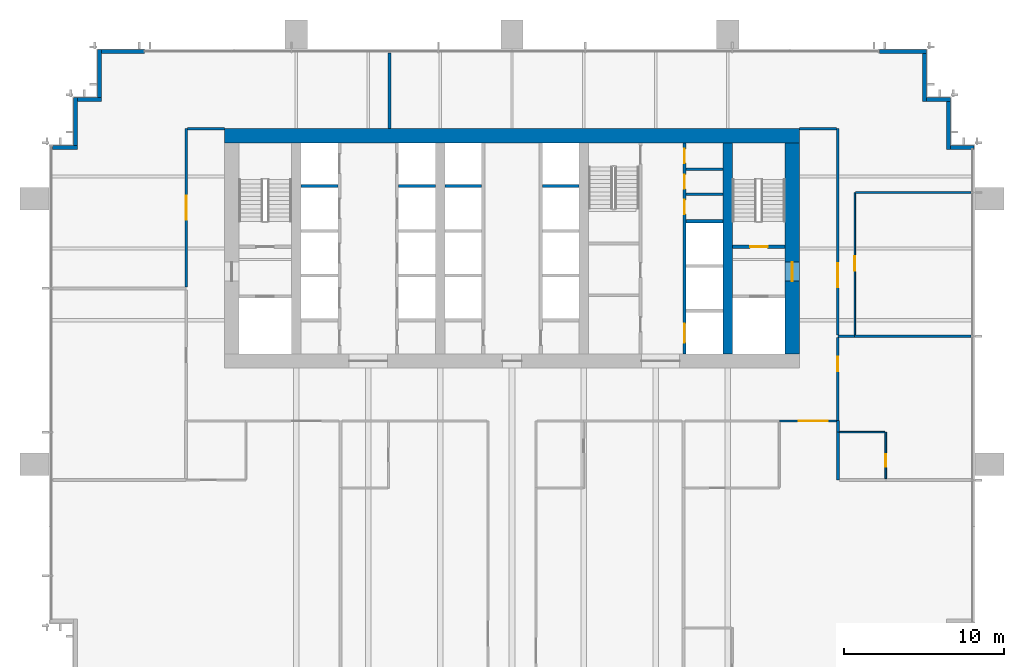
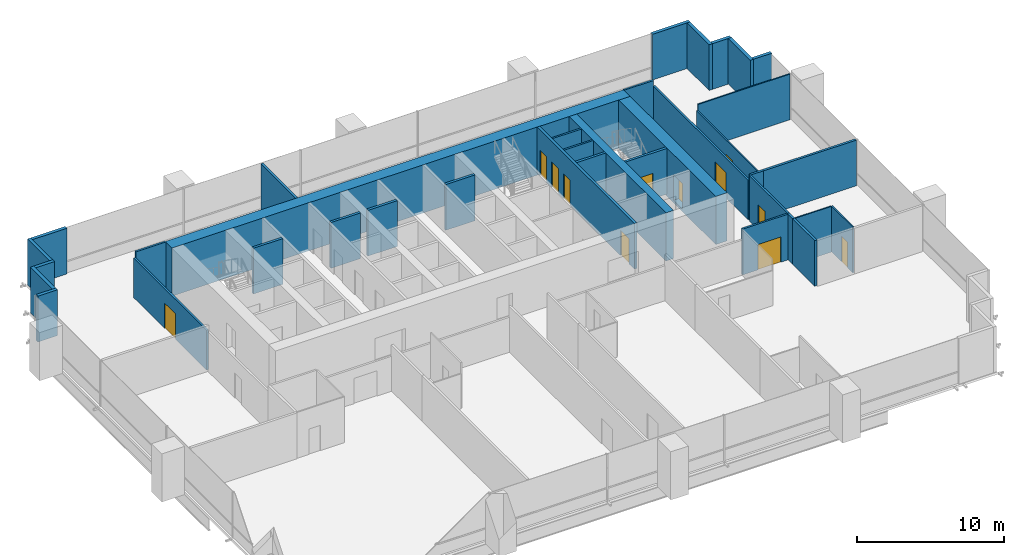
# One storey, part 12 of 14: 37 walls, 12 doors, 12 openings.
"""IFC4 building model written with IfcOpenShell, lengths in metres."""

from ifc_helpers import new_model, si_unit, direction, frame, frame_2d, origin, place, context, subcontext, project, spatial, rectangle, extrude, material, layer, layer_set, type_object, element, fill, save


model = new_model("IFC4")

# Units and contexts
model_context = context("Model", 3, precision=1e-05, world=origin(), true_north=direction((0.0, 1.0)))
body_context = subcontext(model_context, "Body", "Model", "MODEL_VIEW")
ifc_project = project(units=[si_unit("LENGTHUNIT", "METRE"), si_unit("AREAUNIT", "SQUARE_METRE"), si_unit("VOLUMEUNIT", "CUBIC_METRE"), si_unit("PLANEANGLEUNIT", "RADIAN"), si_unit("MASSUNIT", "GRAM", prefix="KILO")], contexts=[model_context])

# Site, building, storey
site_placement = place(None, origin())
site = spatial("IfcSite", under=ifc_project, at=site_placement, CompositionType="ELEMENT")
building_placement = place(site_placement, origin())
building = spatial("IfcBuilding", under=site, at=building_placement, Name="Rattan Terrace Tower", CompositionType="ELEMENT")
storey_placement = place(building_placement, frame((0.0, 0.0, 154.10009765625)))
storey = spatial("IfcBuildingStorey", under=building, at=storey_placement, Name="L35", CompositionType="ELEMENT", Elevation=154.10009765625)

# Walls
ifc_material_1 = material(Name="Gypsum board partition")
ifc_layer_1 = layer(ifc_material_1, 0.14990234375)
ifc_layer_set_1 = layer_set([ifc_layer_1], Name="Core partition 150")
wall_type_1 = type_object("IfcWallType", Name="Core partition 150", PredefinedType="PARTITIONING", material=ifc_layer_set_1)
for number, where, z_axis, x_axis, name in (
    (1, (10.89990234375, 3.384033203125, 0.0), (0.0, 0.0, 1.0), (1.0, 0.0, 0.0), "Riser room wall"),
    (2, (10.89990234375, 4.968017578125, 0.0), (0.0, 0.0, 1.0), (1.0, 0.0, 0.0), "Riser room wall"),
):
    element("IfcWall", number, at=place(storey_placement, frame(where, z_axis=z_axis, x_axis=x_axis)), inside=storey, type_object=wall_type_1, Name=name, PredefinedType="PARTITIONING", context=body_context, shape_type="SweptSolid", body=[
        extrude(rectangle(XDim=2.300048828125, YDim=0.14990234375, at=frame_2d((1.14990234375, 0.0))), origin(), (0.0, 0.0, 1.0), 3.7998046875),
    ])

# Wall, opening, door
ifc_material_2 = material(Name="Gypsum board partition")
ifc_layer_2 = layer(ifc_material_2, 0.199951171875)
ifc_layer_set_2 = layer_set([ifc_layer_2], Name="Core partition 200")
wall_type_2 = type_object("IfcWallType", Name="Core partition 200", PredefinedType="PARTITIONING", material=ifc_layer_set_2)
wall_1_placement = place(storey_placement, frame((13.800048828125, 0.10009765625, 0.0), z_axis=(0.0, 0.0, 1.0), x_axis=(1.0, 0.0, 0.0)))
wall_1 = element("IfcWall", 3, at=wall_1_placement, inside=storey, type_object=wall_type_2, Name="Stair enclosure wall", PredefinedType="PARTITIONING", context=body_context, shape_type="SweptSolid", body=[
    extrude(rectangle(XDim=3.300048828125, YDim=0.199951171875, at=frame_2d((1.64990234375, 0.0))), origin(), (0.0, 0.0, 1.0), 3.7998046875),
])
opening_1_placement = place(wall_1_placement, frame((1.10009765625, 0.0, 0.0)))
opening_1 = element("IfcOpeningElement", 4, at=opening_1_placement, cuts=wall_1, Name="Opening L35-D004", PredefinedType="OPENING", context=body_context, shape_type="SweptSolid", body=[
    extrude(rectangle(XDim=1.10009765625, YDim=2.10009765625, at=frame_2d((0.550048828125, 1.050048828125))), frame((0.0, 0.110595703125, 0.0), z_axis=(0.0, -1.0, 0.0), x_axis=(1.0, 0.0, 0.0)), (0.0, 0.0, 1.0), 0.220947265625),
])
ifc_material_3 = material(Name="Hollow-metal fire door leaf")
door_type_1 = type_object("IfcDoorType", Name="Core stair door 1100", OperationType="NOTDEFINED", PredefinedType="DOOR", material=ifc_material_3)
door_1_placement = place(opening_1_placement, origin())
door_1 = element("IfcDoor", 5, at=door_1_placement, inside=storey, type_object=door_type_1, Name="Door L35-D004", OperationType="SINGLE_SWING_LEFT", OverallHeight=2.10009765625, OverallWidth=1.10009765625, PredefinedType="DOOR", context=body_context, shape_type="SweptSolid", body=[
    extrude(rectangle(XDim=1.10009765625, YDim=2.10009765625, at=frame_2d((0.550048828125, 1.050048828125))), frame((0.0, 0.02490234375, 0.0), z_axis=(0.0, -1.0, 0.0), x_axis=(1.0, 0.0, 0.0)), (0.0, 0.0, 1.0), 0.050048828125),
])
fill(opening_1, door_1)

# Wall
ifc_material_4 = material(Name="Concrete C60/75", Category="concrete")
ifc_layer_3 = layer(ifc_material_4, 0.89990234375)
ifc_layer_set_3 = layer_set([ifc_layer_3], Name="Core ring wall 900 C60/75")
wall_type_3 = type_object("IfcWallType", Name="Core ring wall 900 C60/75", PredefinedType="SHEAR", material=ifc_layer_set_3)
wall_2_placement = place(storey_placement, frame((-18.0, 7.050048828125, -0.2001953125), z_axis=(0.0, 0.0, 1.0), x_axis=(1.0, 0.0, 0.0)))
element("IfcWall", 6, at=wall_2_placement, inside=storey, type_object=wall_type_3, Name="Rear core wall north", PredefinedType="SHEAR", context=body_context, shape_type="SweptSolid", body=[
    extrude(rectangle(XDim=36.0, YDim=0.89990234375, at=frame_2d((18.0, 0.0))), origin(), (0.0, 0.0, 1.0), 4.0),
])

# Wall, opening, door
wall_3_placement = place(storey_placement, frame((17.550048828125, -6.60009765625, -0.2001953125), z_axis=(0.0, 0.0, 1.0), x_axis=(0.0, 1.0, 0.0)))
wall_3 = element("IfcWall", 7, at=wall_3_placement, inside=storey, type_object=wall_type_3, Name="Rear core wall east", PredefinedType="SHEAR", context=body_context, shape_type="SweptSolid", body=[
    extrude(rectangle(XDim=13.2001953125, YDim=0.89990234375, at=frame_2d((6.60009765625, 0.0))), origin(), (0.0, 0.0, 1.0), 4.0),
])
opening_2_placement = place(wall_3_placement, frame((4.550048828125, 0.0, 0.199951171875)))
opening_2 = element("IfcOpeningElement", 8, at=opening_2_placement, cuts=wall_3, Name="Opening L35-D003", PredefinedType="OPENING", context=body_context, shape_type="SweptSolid", body=[
    extrude(rectangle(XDim=1.199951171875, YDim=2.10009765625, at=frame_2d((0.60009765625, 1.050048828125))), frame((0.0, 0.46044921875, 0.0), z_axis=(0.0, -1.0, 0.0), x_axis=(1.0, 0.0, 0.0)), (0.0, 0.0, 1.0), 0.9208984375),
])
ifc_material_5 = material(Name="Hollow-metal fire door leaf")
door_type_2 = type_object("IfcDoorType", Name="Core fire-fighting lobby door 1200", OperationType="NOTDEFINED", PredefinedType="DOOR", material=ifc_material_5)
door_2_placement = place(opening_2_placement, origin())
door_2 = element("IfcDoor", 9, at=door_2_placement, inside=storey, type_object=door_type_2, Name="Door L35-D003", OperationType="SINGLE_SWING_RIGHT", OverallHeight=2.10009765625, OverallWidth=1.199951171875, PredefinedType="DOOR", context=body_context, shape_type="SweptSolid", body=[
    extrude(rectangle(XDim=1.199951171875, YDim=2.10009765625, at=frame_2d((0.60009765625, 1.050048828125))), frame((0.0, 0.02490234375, 0.0), z_axis=(0.0, -1.0, 0.0), x_axis=(1.0, 0.0, 0.0)), (0.0, 0.0, 1.0), 0.050048828125),
])
fill(opening_2, door_2)

# Walls
ifc_material_6 = material(Name="Concrete C60/75", Category="concrete")
ifc_layer_4 = layer(ifc_material_6, 0.60009765625)
ifc_layer_set_4 = layer_set([ifc_layer_4], Name="Core spine wall 600 C60/75")
wall_type_4 = type_object("IfcWallType", Name="Core spine wall 600 C60/75", PredefinedType="SHEAR", material=ifc_layer_set_4)
wall_4_placement = place(storey_placement, frame((13.5, -6.60009765625, -0.2001953125), z_axis=(0.0, 0.0, 1.0), x_axis=(0.0, 1.0, 0.0)))
element("IfcWall", 10, at=wall_4_placement, inside=storey, type_object=wall_type_4, Name="Core spine wall 4", PredefinedType="SHEAR", context=body_context, shape_type="SweptSolid", body=[
    extrude(rectangle(XDim=13.2001953125, YDim=0.60009765625, at=frame_2d((6.60009765625, 0.0))), origin(), (0.0, 0.0, 1.0), 4.0),
])
ifc_material_7 = material(Name="Insulated aluminium-clad stud wall", Category="aluminium")
ifc_layer_5 = layer(ifc_material_7, 0.25)
ifc_layer_set_5 = layer_set([ifc_layer_5], Name="Facade Riser Wall 250")
wall_type_5 = type_object("IfcWallType", Name="Facade Riser Wall 250", PredefinedType="SOLIDWALL", material=ifc_layer_set_5)
wall_5_placement = place(storey_placement, frame((28.909912109375, 6.330078125, 0.0), z_axis=(0.0, 0.0, 1.0), x_axis=(-1.0, 0.0, 0.0)))
element("IfcWall", 11, at=wall_5_placement, inside=storey, type_object=wall_type_5, Name="Riser wall L35-6", PredefinedType="SOLIDWALL", context=body_context, shape_type="SweptSolid", body=[
    extrude(rectangle(XDim=1.454833984375, YDim=0.25, at=frame_2d((0.7275390625, 0.0))), origin(), (0.0, 0.0, 1.0), 3.7998046875),
])
wall_6_placement = place(storey_placement, frame((27.330078125, 6.205078125, 0.0), z_axis=(0.0, 0.0, 1.0), x_axis=(0.0, 1.0, 0.0)))
element("IfcWall", 12, at=wall_6_placement, inside=storey, type_object=wall_type_5, Name="Riser wall L35-7", PredefinedType="SOLIDWALL", context=body_context, shape_type="SweptSolid", body=[
    extrude(rectangle(XDim=3.0, YDim=0.25, at=frame_2d((1.5, 0.0))), origin(), (0.0, 0.0, 1.0), 3.7998046875),
])
wall_7_placement = place(storey_placement, frame((27.455078125, 9.330078125, 0.0), z_axis=(0.0, 0.0, 1.0), x_axis=(-1.0, 0.0, 0.0)))
element("IfcWall", 13, at=wall_7_placement, inside=storey, type_object=wall_type_5, Name="Riser wall L35-8", PredefinedType="SOLIDWALL", context=body_context, shape_type="SweptSolid", body=[
    extrude(rectangle(XDim=1.5, YDim=0.25, at=frame_2d((0.75, 0.0))), origin(), (0.0, 0.0, 1.0), 3.7998046875),
])
wall_8_placement = place(storey_placement, frame((25.830078125, 9.205078125, 0.0), z_axis=(0.0, 0.0, 1.0), x_axis=(0.0, 1.0, 0.0)))
element("IfcWall", 14, at=wall_8_placement, inside=storey, type_object=wall_type_5, Name="Riser wall L35-9", PredefinedType="SOLIDWALL", context=body_context, shape_type="SweptSolid", body=[
    extrude(rectangle(XDim=3.0, YDim=0.25, at=frame_2d((1.5, 0.0))), origin(), (0.0, 0.0, 1.0), 3.7998046875),
])
wall_9_placement = place(storey_placement, frame((25.955078125, 12.330078125, 0.0), z_axis=(0.0, 0.0, 1.0), x_axis=(-1.0, 0.0, 0.0)))
element("IfcWall", 15, at=wall_9_placement, inside=storey, type_object=wall_type_5, Name="Riser wall L35-10", PredefinedType="SOLIDWALL", context=body_context, shape_type="SweptSolid", body=[
    extrude(rectangle(XDim=2.955078125, YDim=0.25, at=frame_2d((1.4775390625, 0.0))), origin(), (0.0, 0.0, 1.0), 3.7998046875),
])
wall_10_placement = place(storey_placement, frame((-23.0, 12.330078125, 0.0), z_axis=(0.0, 0.0, 1.0), x_axis=(-1.0, 0.0, 0.0)))
element("IfcWall", 16, at=wall_10_placement, inside=storey, type_object=wall_type_5, Name="Riser wall L35-11", PredefinedType="SOLIDWALL", context=body_context, shape_type="SweptSolid", body=[
    extrude(rectangle(XDim=2.705078125, YDim=0.25, at=frame_2d((1.3525390625, 0.0))), origin(), (0.0, 0.0, 1.0), 3.7998046875),
])
wall_11_placement = place(storey_placement, frame((-25.830078125, 12.455078125, 0.0), z_axis=(0.0, 0.0, 1.0), x_axis=(0.0, -1.0, 0.0)))
element("IfcWall", 17, at=wall_11_placement, inside=storey, type_object=wall_type_5, Name="Riser wall L35-12", PredefinedType="SOLIDWALL", context=body_context, shape_type="SweptSolid", body=[
    extrude(rectangle(XDim=3.0, YDim=0.25, at=frame_2d((1.5, 0.0))), origin(), (0.0, 0.0, 1.0), 3.7998046875),
])
wall_12_placement = place(storey_placement, frame((-25.705078125, 9.330078125, 0.0), z_axis=(0.0, 0.0, 1.0), x_axis=(-1.0, 0.0, 0.0)))
element("IfcWall", 18, at=wall_12_placement, inside=storey, type_object=wall_type_5, Name="Riser wall L35-13", PredefinedType="SOLIDWALL", context=body_context, shape_type="SweptSolid", body=[
    extrude(rectangle(XDim=1.5, YDim=0.25, at=frame_2d((0.75, 0.0))), origin(), (0.0, 0.0, 1.0), 3.7998046875),
])
wall_13_placement = place(storey_placement, frame((-27.330078125, 9.455078125, 0.0), z_axis=(0.0, 0.0, 1.0), x_axis=(0.0, -1.0, 0.0)))
element("IfcWall", 19, at=wall_13_placement, inside=storey, type_object=wall_type_5, Name="Riser wall L35-14", PredefinedType="SOLIDWALL", context=body_context, shape_type="SweptSolid", body=[
    extrude(rectangle(XDim=3.0, YDim=0.25, at=frame_2d((1.5, 0.0))), origin(), (0.0, 0.0, 1.0), 3.7998046875),
])
wall_14_placement = place(storey_placement, frame((-27.205078125, 6.330078125, 0.0), z_axis=(0.0, 0.0, 1.0), x_axis=(-1.0, 0.0, 0.0)))
element("IfcWall", 20, at=wall_14_placement, inside=storey, type_object=wall_type_5, Name="Riser wall L35-15", PredefinedType="SOLIDWALL", context=body_context, shape_type="SweptSolid", body=[
    extrude(rectangle(XDim=1.544921875, YDim=0.25, at=frame_2d((0.7724609375, 0.0))), origin(), (0.0, 0.0, 1.0), 3.7998046875),
])
ifc_material_8 = material(Name="Double steel stud acoustic partition, gypsum board, mineral wool, fire rated", Category="steel")
ifc_layer_6 = layer(ifc_material_8, 0.179931640625)
ifc_layer_set_6 = layer_set([ifc_layer_6], Name="Floors Acoustic Party Wall 180")
wall_type_6 = type_object("IfcWallType", Name="Floors Acoustic Party Wall 180", PredefinedType="PARTITIONING", material=ifc_layer_set_6)
wall_15_placement = place(storey_placement, frame((-7.6669921875, 12.239990234375, 0.0), z_axis=(0.0, 0.0, 1.0), x_axis=(0.0, -1.0, 0.0)))
element("IfcWall", 21, at=wall_15_placement, inside=storey, type_object=wall_type_6, Name="pt-L35-021", PredefinedType="PARTITIONING", context=body_context, shape_type="SweptSolid", body=[
    extrude(rectangle(XDim=4.739990234375, YDim=0.179931640625, at=frame_2d((2.3701171875, 0.0))), origin(), (0.0, 0.0, 1.0), 3.7998046875),
])
wall_16_placement = place(storey_placement, frame((20.39990234375, -5.5, 0.0), z_axis=(0.0, 0.0, 1.0), x_axis=(1.0, 0.0, 0.0)))
element("IfcWall", 22, at=wall_16_placement, inside=storey, type_object=wall_type_6, Name="pt-L35-024", PredefinedType="PARTITIONING", context=body_context, shape_type="SweptSolid", body=[
    extrude(rectangle(XDim=1.0400390625, YDim=0.179931640625, at=frame_2d((0.52001953125, 0.0))), origin(), (0.0, 0.0, 1.0), 3.7998046875),
])
wall_17_placement = place(storey_placement, frame((21.43994140625, -5.5, 0.0), z_axis=(0.0, 0.0, 1.0), x_axis=(1.0, 0.0, 0.0)))
element("IfcWall", 23, at=wall_17_placement, inside=storey, type_object=wall_type_6, Name="pt-L35-025", PredefinedType="PARTITIONING", context=body_context, shape_type="SweptSolid", body=[
    extrude(rectangle(XDim=7.300048828125, YDim=0.179931640625, at=frame_2d((3.64990234375, 0.0))), origin(), (0.0, 0.0, 1.0), 3.7998046875),
])
wall_18_placement = place(storey_placement, frame((20.39990234375, -11.5, 0.0), z_axis=(0.0, 0.0, 1.0), x_axis=(0.0, 1.0, 0.0)))
element("IfcWall", 24, at=wall_18_placement, inside=storey, type_object=wall_type_6, Name="pt-L35-026", PredefinedType="PARTITIONING", context=body_context, shape_type="SweptSolid", body=[
    extrude(rectangle(XDim=0.719970703125, YDim=0.179931640625, at=frame_2d((0.35986328125, 0.0))), origin(), (0.0, 0.0, 1.0), 3.7998046875),
])
wall_19_placement = place(storey_placement, frame((20.39990234375, -14.5, 0.0), z_axis=(0.0, 0.0, 1.0), x_axis=(0.0, 1.0, 0.0)))
element("IfcWall", 25, at=wall_19_placement, inside=storey, type_object=wall_type_6, Name="pt-L35-028", PredefinedType="PARTITIONING", context=body_context, shape_type="SweptSolid", body=[
    extrude(rectangle(XDim=3.0, YDim=0.179931640625, at=frame_2d((1.5, 0.0))), origin(), (0.0, 0.0, 1.0), 3.7998046875),
])
ifc_material_9 = material(Name="Gypsum board partition on steel studs", Category="steel")
ifc_layer_7 = layer(ifc_material_9, 0.10009765625)
ifc_layer_set_7 = layer_set([ifc_layer_7], Name="Floors Partition 100")
wall_type_7 = type_object("IfcWallType", Name="Floors Partition 100", PredefinedType="PARTITIONING", material=ifc_layer_set_7)
wall_20_placement = place(storey_placement, frame((23.35009765625, -11.5, 0.0), z_axis=(0.0, 0.0, 1.0), x_axis=(-1.0, 0.0, 0.0)))
element("IfcWall", 26, at=wall_20_placement, inside=storey, type_object=wall_type_7, Name="pt-L35-022", PredefinedType="PARTITIONING", context=body_context, shape_type="SweptSolid", body=[
    extrude(rectangle(XDim=2.860107421875, YDim=0.10009765625, at=frame_2d((1.43017578125, 0.0))), origin(), (0.0, 0.0, 1.0), 3.7998046875),
])

# Wall, opening, door
wall_21_placement = place(storey_placement, frame((23.39990234375, -14.409912109375, 0.0), z_axis=(0.0, 0.0, 1.0), x_axis=(0.0, 1.0, 0.0)))
wall_21 = element("IfcWall", 27, at=wall_21_placement, inside=storey, type_object=wall_type_7, Name="pt-L35-023", PredefinedType="PARTITIONING", context=body_context, shape_type="SweptSolid", body=[
    extrude(rectangle(XDim=2.909912109375, YDim=0.10009765625, at=frame_2d((1.455078125, 0.0))), origin(), (0.0, 0.0, 1.0), 3.7998046875),
])
opening_3_placement = place(wall_21_placement, frame((0.73291015625, 0.0, 0.0)))
opening_3 = element("IfcOpeningElement", 28, at=opening_3_placement, cuts=wall_21, Name="Opening L35-D103", PredefinedType="OPENING", context=body_context, shape_type="SweptSolid", body=[
    extrude(rectangle(XDim=0.800048828125, YDim=2.10009765625, at=frame_2d((0.39990234375, 1.050048828125))), frame((0.0, 0.060546875, 0.0), z_axis=(0.0, -1.0, 0.0), x_axis=(1.0, 0.0, 0.0)), (0.0, 0.0, 1.0), 0.12109375),
])
ifc_material_10 = material(Name="Solid core timber door, painted", Category="wood")
door_type_3 = type_object("IfcDoorType", Name="Floors Store Door 800x2100", OperationType="NOTDEFINED", PredefinedType="DOOR", material=ifc_material_10)
door_3_placement = place(opening_3_placement, origin())
door_3 = element("IfcDoor", 29, at=door_3_placement, inside=storey, type_object=door_type_3, Name="d-L35-103", OperationType="SINGLE_SWING_LEFT", OverallHeight=2.10009765625, OverallWidth=0.800048828125, PredefinedType="DOOR", context=body_context, shape_type="SweptSolid", body=[
    extrude(rectangle(XDim=0.800048828125, YDim=2.10009765625, at=frame_2d((0.39990234375, 1.050048828125))), frame((0.0, 0.02490234375, 0.0), z_axis=(0.0, -1.0, 0.0), x_axis=(1.0, 0.0, 0.0)), (0.0, 0.0, 1.0), 0.050048828125),
])
fill(opening_3, door_3)

wall_22_placement = place(storey_placement, frame((21.4599609375, 3.5, 0.0), z_axis=(0.0, 0.0, 1.0), x_axis=(0.0, -1.0, 0.0)))
wall_22 = element("IfcWall", 30, at=wall_22_placement, inside=storey, type_object=wall_type_7, Name="pt-L35-030", PredefinedType="PARTITIONING", context=body_context, shape_type="SweptSolid", body=[
    extrude(rectangle(XDim=8.909912109375, YDim=0.10009765625, at=frame_2d((4.455078125, 0.0))), origin(), (0.0, 0.0, 1.0), 3.2998046875),
])
opening_4_placement = place(wall_22_placement, frame((4.0048828125, 0.0, 0.0)))
opening_4 = element("IfcOpeningElement", 31, at=opening_4_placement, cuts=wall_22, Name="Opening L35-D105", PredefinedType="OPENING", context=body_context, shape_type="SweptSolid", body=[
    extrude(rectangle(XDim=0.89990234375, YDim=2.10009765625, at=frame_2d((0.449951171875, 1.050048828125))), frame((0.0, 0.060546875, 0.0), z_axis=(0.0, -1.0, 0.0), x_axis=(1.0, 0.0, 0.0)), (0.0, 0.0, 1.0), 0.12109375),
])
ifc_material_11 = material(Name="Solid core timber door, painted", Category="wood")
door_type_4 = type_object("IfcDoorType", Name="Floors Door 900x2100", OperationType="NOTDEFINED", PredefinedType="DOOR", material=ifc_material_11)
door_4_placement = place(opening_4_placement, origin())
door_4 = element("IfcDoor", 32, at=door_4_placement, inside=storey, type_object=door_type_4, Name="d-L35-105", OperationType="SINGLE_SWING_RIGHT", OverallHeight=2.10009765625, OverallWidth=0.89990234375, PredefinedType="DOOR", context=body_context, shape_type="SweptSolid", body=[
    extrude(rectangle(XDim=0.89990234375, YDim=2.10009765625, at=frame_2d((0.449951171875, 1.050048828125))), frame((0.0, 0.02490234375, 0.0), z_axis=(0.0, -1.0, 0.0), x_axis=(1.0, 0.0, 0.0)), (0.0, 0.0, 1.0), 0.050048828125),
])
fill(opening_4, door_4)

# Wall
wall_23_placement = place(storey_placement, frame((28.739990234375, 3.5, 0.0), z_axis=(0.0, 0.0, 1.0), x_axis=(-1.0, 0.0, 0.0)))
element("IfcWall", 33, at=wall_23_placement, inside=storey, type_object=wall_type_7, Name="pt-L35-031", PredefinedType="PARTITIONING", context=body_context, shape_type="SweptSolid", body=[
    extrude(rectangle(XDim=7.22998046875, YDim=0.10009765625, at=frame_2d((3.614990234375, 0.0))), origin(), (0.0, 0.0, 1.0), 3.7998046875),
])

# Wall, opening, door
ifc_material_12 = material(Name="Gypsum board partition on steel studs, fire rated", Category="steel")
ifc_layer_8 = layer(ifc_material_12, 0.14990234375)
ifc_layer_set_8 = layer_set([ifc_layer_8], Name="Floors Tenancy Wall 150")
wall_type_8 = type_object("IfcWallType", Name="Floors Tenancy Wall 150", PredefinedType="PARTITIONING", material=ifc_layer_set_8)
wall_24_placement = place(storey_placement, frame((-20.39990234375, -2.409912109375, 0.0), z_axis=(0.0, 0.0, 1.0), x_axis=(0.0, 1.0, 0.0)))
wall_24 = element("IfcWall", 34, at=wall_24_placement, inside=storey, type_object=wall_type_8, Name="pt-L35-002", PredefinedType="PARTITIONING", context=body_context, shape_type="SweptSolid", body=[
    extrude(rectangle(XDim=9.909912109375, YDim=0.14990234375, at=frame_2d((4.955078125, 0.0))), origin(), (0.0, 0.0, 1.0), 3.2998046875),
])
opening_5_placement = place(wall_24_placement, frame((4.205078125, 0.0, 0.0)))
opening_5 = element("IfcOpeningElement", 35, at=opening_5_placement, cuts=wall_24, Name="Opening L35-D101", PredefinedType="OPENING", context=body_context, shape_type="SweptSolid", body=[
    extrude(rectangle(XDim=1.5, YDim=2.10009765625, at=frame_2d((0.75, 1.050048828125))), frame((0.0, 0.08544921875, 0.0), z_axis=(0.0, -1.0, 0.0), x_axis=(1.0, 0.0, 0.0)), (0.0, 0.0, 1.0), 0.1708984375),
])
ifc_material_13 = material(Name="Steel fire door set", Category="steel")
door_type_5 = type_object("IfcDoorType", Name="Floors Unit Door Pair FD30S 1500x2100", OperationType="NOTDEFINED", PredefinedType="DOOR", material=ifc_material_13)
door_5_placement = place(opening_5_placement, origin())
door_5 = element("IfcDoor", 36, at=door_5_placement, inside=storey, type_object=door_type_5, Name="d-L35-101", OperationType="DOUBLE_DOOR_SINGLE_SWING", OverallHeight=2.10009765625, OverallWidth=1.5, PredefinedType="DOOR", context=body_context, shape_type="SweptSolid", body=[
    extrude(rectangle(XDim=1.5, YDim=2.10009765625, at=frame_2d((0.75, 1.050048828125))), frame((0.0, 0.02490234375, 0.0), z_axis=(0.0, -1.0, 0.0), x_axis=(1.0, 0.0, 0.0)), (0.0, 0.0, 1.0), 0.050048828125),
])
fill(opening_5, door_5)

# Wall
wall_25_placement = place(storey_placement, frame((-20.324951171875, 7.5009765625, 0.0), z_axis=(0.0, 0.0, 1.0), x_axis=(1.0, 0.0, 0.0)))
element("IfcWall", 37, at=wall_25_placement, inside=storey, type_object=wall_type_8, Name="pt-L35-003", PredefinedType="PARTITIONING", context=body_context, shape_type="SweptSolid", body=[
    extrude(rectangle(XDim=2.324951171875, YDim=0.14990234375, at=frame_2d((1.16259765625, 0.0))), origin(), (0.0, 0.0, 1.0), 3.7998046875),
])

# Wall, opening, door
wall_26_placement = place(storey_placement, frame((20.39990234375, -5.590087890625, 0.0), z_axis=(0.0, 0.0, 1.0), x_axis=(0.0, -1.0, 0.0)))
wall_26 = element("IfcWall", 38, at=wall_26_placement, inside=storey, type_object=wall_type_8, Name="pt-L35-004", PredefinedType="PARTITIONING", context=body_context, shape_type="SweptSolid", body=[
    extrude(rectangle(XDim=5.18994140625, YDim=0.14990234375, at=frame_2d((2.594970703125, 0.0))), origin(), (0.0, 0.0, 1.0), 3.7998046875),
])
opening_6_placement = place(wall_26_placement, frame((1.197998046875, 0.0, 0.0)))
opening_6 = element("IfcOpeningElement", 39, at=opening_6_placement, cuts=wall_26, Name="Opening L35-D102", PredefinedType="OPENING", context=body_context, shape_type="SweptSolid", body=[
    extrude(rectangle(XDim=0.89990234375, YDim=2.10009765625, at=frame_2d((0.449951171875, 1.050048828125))), frame((0.0, 0.08544921875, 0.0), z_axis=(0.0, -1.0, 0.0), x_axis=(1.0, 0.0, 0.0)), (0.0, 0.0, 1.0), 0.1708984375),
])
ifc_material_14 = material(Name="Steel fire door set", Category="steel")
door_type_6 = type_object("IfcDoorType", Name="Floors Fire Door FD30S 900x2100", OperationType="NOTDEFINED", PredefinedType="DOOR", material=ifc_material_14)
door_6_placement = place(opening_6_placement, origin())
door_6 = element("IfcDoor", 40, at=door_6_placement, inside=storey, type_object=door_type_6, Name="d-L35-102", OperationType="SINGLE_SWING_LEFT", OverallHeight=2.10009765625, OverallWidth=0.89990234375, PredefinedType="DOOR", context=body_context, shape_type="SweptSolid", body=[
    extrude(rectangle(XDim=0.89990234375, YDim=2.10009765625, at=frame_2d((0.449951171875, 1.050048828125))), frame((0.0, 0.02490234375, 0.0), z_axis=(0.0, -1.0, 0.0), x_axis=(1.0, 0.0, 0.0)), (0.0, 0.0, 1.0), 0.050048828125),
])
fill(opening_6, door_6)

# Wall
wall_27_placement = place(storey_placement, frame((18.0, 7.5009765625, 0.0), z_axis=(0.0, 0.0, 1.0), x_axis=(1.0, 0.0, 0.0)))
element("IfcWall", 41, at=wall_27_placement, inside=storey, type_object=wall_type_8, Name="pt-L35-005", PredefinedType="PARTITIONING", context=body_context, shape_type="SweptSolid", body=[
    extrude(rectangle(XDim=2.324951171875, YDim=0.14990234375, at=frame_2d((1.16259765625, 0.0))), origin(), (0.0, 0.0, 1.0), 3.7998046875),
])

# Wall, opening, door
wall_28_placement = place(storey_placement, frame((20.39990234375, 7.5, 0.0), z_axis=(0.0, 0.0, 1.0), x_axis=(0.0, -1.0, 0.0)))
wall_28 = element("IfcWall", 42, at=wall_28_placement, inside=storey, type_object=wall_type_8, Name="pt-L35-006", PredefinedType="PARTITIONING", context=body_context, shape_type="SweptSolid", body=[
    extrude(rectangle(XDim=12.909912109375, YDim=0.14990234375, at=frame_2d((6.455078125, 0.0))), origin(), (0.0, 0.0, 1.0), 3.2998046875),
])
opening_7_placement = place(wall_28_placement, frame((8.43310546875, 0.0, 0.0)))
opening_7 = element("IfcOpeningElement", 43, at=opening_7_placement, cuts=wall_28, Name="Opening L35-D104", PredefinedType="OPENING", context=body_context, shape_type="SweptSolid", body=[
    extrude(rectangle(XDim=1.5, YDim=2.10009765625, at=frame_2d((0.75, 1.050048828125))), frame((0.0, 0.08544921875, 0.0), z_axis=(0.0, -1.0, 0.0), x_axis=(1.0, 0.0, 0.0)), (0.0, 0.0, 1.0), 0.1708984375),
])
door_7_placement = place(opening_7_placement, origin())
door_7 = element("IfcDoor", 44, at=door_7_placement, inside=storey, type_object=door_type_5, Name="d-L35-104", OperationType="DOUBLE_DOOR_SINGLE_SWING", OverallHeight=2.10009765625, OverallWidth=1.5, PredefinedType="DOOR", context=body_context, shape_type="SweptSolid", body=[
    extrude(rectangle(XDim=1.5, YDim=2.10009765625, at=frame_2d((0.75, 1.050048828125))), frame((0.0, 0.02490234375, 0.0), z_axis=(0.0, -1.0, 0.0), x_axis=(1.0, 0.0, 0.0)), (0.0, 0.0, 1.0), 0.050048828125),
])
fill(opening_7, door_7)

wall_29_placement = place(storey_placement, frame((20.324951171875, -10.800048828125, 0.0), z_axis=(0.0, 0.0, 1.0), x_axis=(-1.0, 0.0, 0.0)))
wall_29 = element("IfcWall", 45, at=wall_29_placement, inside=storey, type_object=wall_type_8, Name="pt-L35-011", PredefinedType="PARTITIONING", context=body_context, shape_type="SweptSolid", body=[
    extrude(rectangle(XDim=3.572021484375, YDim=0.14990234375, at=frame_2d((1.7861328125, 0.0))), origin(), (0.0, 0.0, 1.0), 3.7998046875),
])
opening_8_placement = place(wall_29_placement, frame((0.568115234375, 0.0, 0.0)))
opening_8 = element("IfcOpeningElement", 46, at=opening_8_placement, cuts=wall_29, Name="Opening L35-D108", PredefinedType="OPENING", context=body_context, shape_type="SweptSolid", body=[
    extrude(rectangle(XDim=1.800048828125, YDim=2.10009765625, at=frame_2d((0.89990234375, 1.050048828125))), frame((0.0, 0.08544921875, 0.0), z_axis=(0.0, -1.0, 0.0), x_axis=(1.0, 0.0, 0.0)), (0.0, 0.0, 1.0), 0.1708984375),
])
ifc_material_15 = material(Name="Steel fire door set", Category="steel")
door_type_7 = type_object("IfcDoorType", Name="Floors Fire Door Pair FD30S 1800x2100", OperationType="NOTDEFINED", PredefinedType="DOOR", material=ifc_material_15)
door_8_placement = place(opening_8_placement, origin())
door_8 = element("IfcDoor", 47, at=door_8_placement, inside=storey, type_object=door_type_7, Name="d-L35-108", OperationType="DOUBLE_DOOR_SINGLE_SWING", OverallHeight=2.10009765625, OverallWidth=1.800048828125, PredefinedType="DOOR", context=body_context, shape_type="SweptSolid", body=[
    extrude(rectangle(XDim=1.800048828125, YDim=2.10009765625, at=frame_2d((0.89990234375, 1.050048828125))), frame((0.0, 0.02490234375, 0.0), z_axis=(0.0, -1.0, 0.0), x_axis=(1.0, 0.0, 0.0)), (0.0, 0.0, 1.0), 0.050048828125),
])
fill(opening_8, door_8)

# Walls
ifc_material_16 = material(Name="Gypsum shaft wall system")
ifc_layer_9 = layer(ifc_material_16, 0.199951171875)
ifc_layer_set_9 = layer_set([ifc_layer_9], Name="Lift shaft wall 200")
wall_type_9 = type_object("IfcWallType", Name="Lift shaft wall 200", PredefinedType="PARTITIONING", material=ifc_layer_set_9)
for number, where, z_axis, x_axis, name in (
    (48, (-13.199951171875, 3.89990234375, 0.0), (0.0, 0.0, 1.0), (1.0, 0.0, 0.0), "Lift shaft wall"),
    (49, (-7.10009765625, 3.89990234375, 0.0), (0.0, 0.0, 1.0), (1.0, 0.0, 0.0), "Lift shaft wall"),
    (50, (-4.199951171875, 3.89990234375, 0.0), (0.0, 0.0, 1.0), (1.0, 0.0, 0.0), "Lift shaft wall"),
    (51, (1.89990234375, 3.89990234375, 0.0), (0.0, 0.0, 1.0), (1.0, 0.0, 0.0), "Lift shaft wall"),
):
    element("IfcWall", number, at=place(storey_placement, frame(where, z_axis=z_axis, x_axis=x_axis)), inside=storey, type_object=wall_type_9, Name=name, PredefinedType="PARTITIONING", context=body_context, shape_type="SweptSolid", body=[
        extrude(rectangle(XDim=2.300048828125, YDim=0.199951171875, at=frame_2d((1.14990234375, 0.0))), origin(), (0.0, 0.0, 1.0), 3.7998046875),
    ])

# Wall, openings, doors
wall_30_placement = place(storey_placement, frame((10.800048828125, -6.60009765625, 0.0), z_axis=(0.0, 0.0, 1.0), x_axis=(0.0, 1.0, 0.0)))
wall_30 = element("IfcWall", 52, at=wall_30_placement, inside=storey, type_object=wall_type_9, Name="Lift shaft front wall", PredefinedType="PARTITIONING", context=body_context, shape_type="SweptSolid", body=[
    extrude(rectangle(XDim=13.2001953125, YDim=0.199951171875, at=frame_2d((6.60009765625, 0.0))), origin(), (0.0, 0.0, 1.0), 3.7998046875),
])
opening_9_placement = place(wall_30_placement, frame((0.699951171875, 0.0, 0.0)))
opening_9 = element("IfcOpeningElement", 53, at=opening_9_placement, cuts=wall_30, Name="Opening L35-LD-SV1", PredefinedType="OPENING", context=body_context, shape_type="SweptSolid", body=[
    extrude(rectangle(XDim=1.199951171875, YDim=2.10009765625, at=frame_2d((0.60009765625, 1.050048828125))), frame((0.0, 0.110595703125, 0.0), z_axis=(0.0, -1.0, 0.0), x_axis=(1.0, 0.0, 0.0)), (0.0, 0.0, 1.0), 0.220947265625),
])
opening_10_placement = place(wall_30_placement, frame((8.741943359375, 0.0, 0.0)))
opening_10 = element("IfcOpeningElement", 54, at=opening_10_placement, cuts=wall_30, Name="Opening L35-D015", PredefinedType="OPENING", context=body_context, shape_type="SweptSolid", body=[
    extrude(rectangle(XDim=0.89990234375, YDim=2.10009765625, at=frame_2d((0.449951171875, 1.050048828125))), frame((0.0, 0.110595703125, 0.0), z_axis=(0.0, -1.0, 0.0), x_axis=(1.0, 0.0, 0.0)), (0.0, 0.0, 1.0), 0.220947265625),
])
opening_11_placement = place(wall_30_placement, frame((10.325927734375, 0.0, 0.0)))
opening_11 = element("IfcOpeningElement", 55, at=opening_11_placement, cuts=wall_30, Name="Opening L35-D016", PredefinedType="OPENING", context=body_context, shape_type="SweptSolid", body=[
    extrude(rectangle(XDim=0.89990234375, YDim=2.10009765625, at=frame_2d((0.449951171875, 1.050048828125))), frame((0.0, 0.110595703125, 0.0), z_axis=(0.0, -1.0, 0.0), x_axis=(1.0, 0.0, 0.0)), (0.0, 0.0, 1.0), 0.220947265625),
])
opening_12_placement = place(wall_30_placement, frame((11.93408203125, 0.0, 0.0)))
opening_12 = element("IfcOpeningElement", 56, at=opening_12_placement, cuts=wall_30, Name="Opening L35-D017", PredefinedType="OPENING", context=body_context, shape_type="SweptSolid", body=[
    extrude(rectangle(XDim=0.89990234375, YDim=2.10009765625, at=frame_2d((0.449951171875, 1.050048828125))), frame((0.0, 0.110595703125, 0.0), z_axis=(0.0, -1.0, 0.0), x_axis=(1.0, 0.0, 0.0)), (0.0, 0.0, 1.0), 0.220947265625),
])
ifc_material_17 = material(Name="Brushed stainless landing door panel")
door_type_8 = type_object("IfcDoorType", Name="Core lift landing door 1200", OperationType="DOUBLE_DOOR_SLIDING", PredefinedType="DOOR", material=ifc_material_17)
door_9_placement = place(opening_9_placement, origin())
door_9 = element("IfcDoor", 57, at=door_9_placement, inside=storey, type_object=door_type_8, Name="Door L35-LD-SV1", OperationType="DOUBLE_DOOR_SLIDING", OverallHeight=2.10009765625, OverallWidth=1.199951171875, PredefinedType="DOOR", context=body_context, shape_type="SweptSolid", body=[
    extrude(rectangle(XDim=1.199951171875, YDim=2.10009765625, at=frame_2d((0.60009765625, 1.050048828125))), frame((0.0, 0.02490234375, 0.0), z_axis=(0.0, -1.0, 0.0), x_axis=(1.0, 0.0, 0.0)), (0.0, 0.0, 1.0), 0.050048828125),
])
fill(opening_9, door_9)
ifc_material_18 = material(Name="Hollow-metal fire door leaf")
door_type_9 = type_object("IfcDoorType", Name="Core riser door 900", OperationType="NOTDEFINED", PredefinedType="DOOR", material=ifc_material_18)
door_10_placement = place(opening_10_placement, origin())
door_10 = element("IfcDoor", 58, at=door_10_placement, inside=storey, type_object=door_type_9, Name="Door L35-D015", OperationType="SINGLE_SWING_RIGHT", OverallHeight=2.10009765625, OverallWidth=0.89990234375, PredefinedType="DOOR", context=body_context, shape_type="SweptSolid", body=[
    extrude(rectangle(XDim=0.89990234375, YDim=2.10009765625, at=frame_2d((0.449951171875, 1.050048828125))), frame((0.0, 0.02490234375, 0.0), z_axis=(0.0, -1.0, 0.0), x_axis=(1.0, 0.0, 0.0)), (0.0, 0.0, 1.0), 0.050048828125),
])
fill(opening_10, door_10)
door_11_placement = place(opening_11_placement, origin())
door_11 = element("IfcDoor", 59, at=door_11_placement, inside=storey, type_object=door_type_9, Name="Door L35-D016", OperationType="SINGLE_SWING_LEFT", OverallHeight=2.10009765625, OverallWidth=0.89990234375, PredefinedType="DOOR", context=body_context, shape_type="SweptSolid", body=[
    extrude(rectangle(XDim=0.89990234375, YDim=2.10009765625, at=frame_2d((0.449951171875, 1.050048828125))), frame((0.0, 0.02490234375, 0.0), z_axis=(0.0, -1.0, 0.0), x_axis=(1.0, 0.0, 0.0)), (0.0, 0.0, 1.0), 0.050048828125),
])
fill(opening_11, door_11)
ifc_material_19 = material(Name="Hollow-metal fire door leaf")
door_type_10 = type_object("IfcDoorType", Name="Core service room door 900", OperationType="NOTDEFINED", PredefinedType="DOOR", material=ifc_material_19)
door_12_placement = place(opening_12_placement, origin())
door_12 = element("IfcDoor", 60, at=door_12_placement, inside=storey, type_object=door_type_10, Name="Door L35-D017", OperationType="SINGLE_SWING_RIGHT", OverallHeight=2.10009765625, OverallWidth=0.89990234375, PredefinedType="DOOR", context=body_context, shape_type="SweptSolid", body=[
    extrude(rectangle(XDim=0.89990234375, YDim=2.10009765625, at=frame_2d((0.449951171875, 1.050048828125))), frame((0.0, 0.02490234375, 0.0), z_axis=(0.0, -1.0, 0.0), x_axis=(1.0, 0.0, 0.0)), (0.0, 0.0, 1.0), 0.050048828125),
])
fill(opening_12, door_12)

# Wall
wall_31_placement = place(storey_placement, frame((10.89990234375, 1.699951171875, 0.0), z_axis=(0.0, 0.0, 1.0), x_axis=(1.0, 0.0, 0.0)))
element("IfcWall", 61, at=wall_31_placement, inside=storey, type_object=wall_type_9, Name="Lift shaft wall", PredefinedType="PARTITIONING", context=body_context, shape_type="SweptSolid", body=[
    extrude(rectangle(XDim=2.300048828125, YDim=0.199951171875, at=frame_2d((1.14990234375, 0.0))), origin(), (0.0, 0.0, 1.0), 3.7998046875),
])

save(model, "model.ifc")
